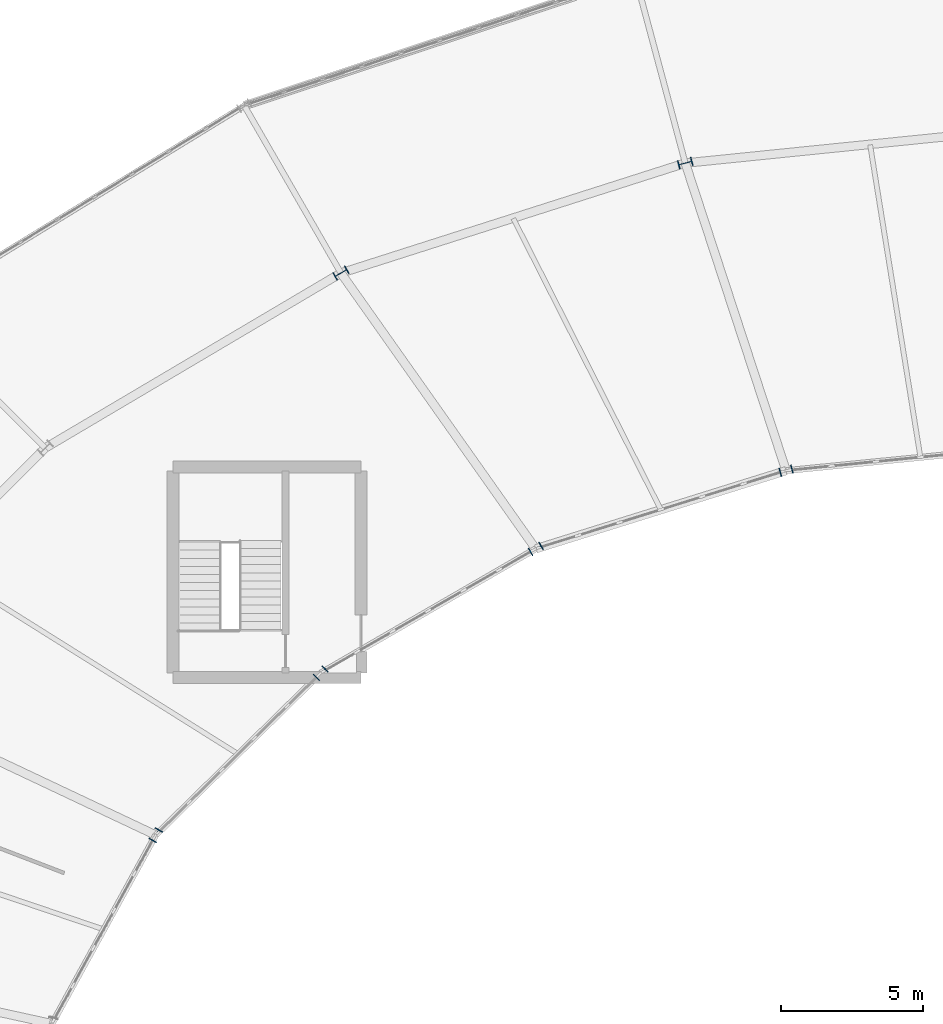
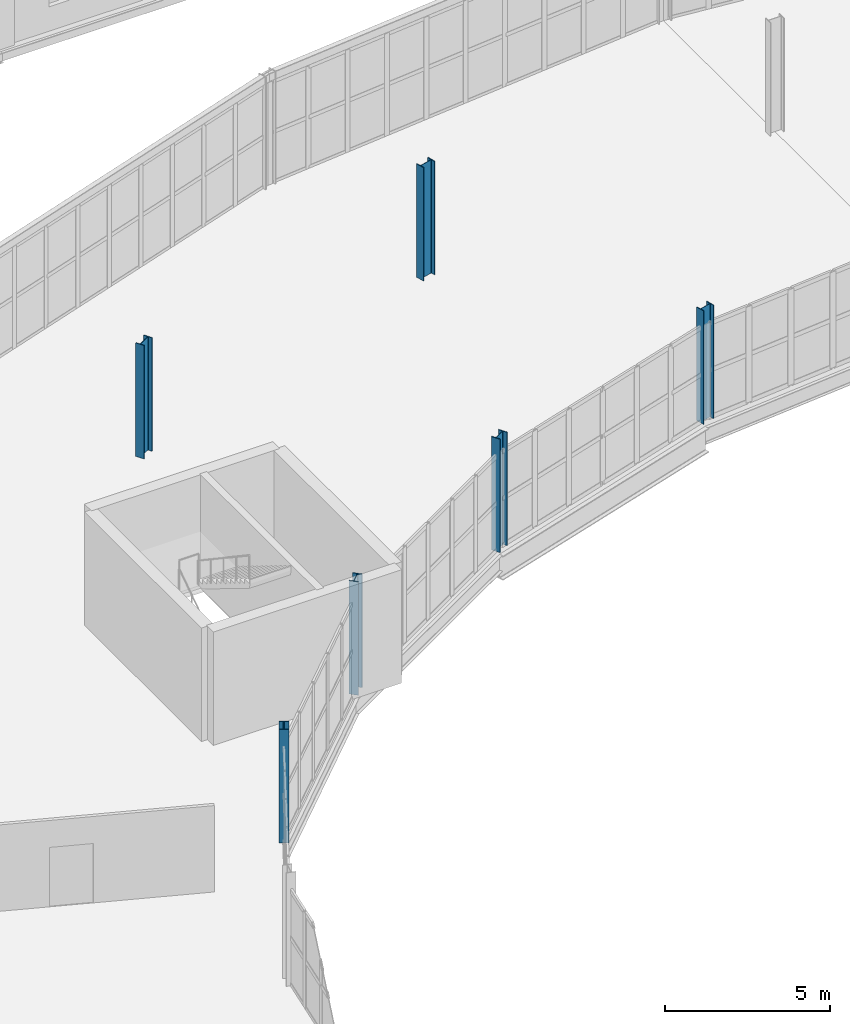
# One storey, part 15 of 161: 6 columns.
"""IFC4 building model written with IfcOpenShell, lengths in metres."""

from ifc_helpers import new_model, si_unit, direction, frame, origin, origin_2d, place, context, subcontext, project, spatial, i_section, extrude, material, material_profile, profile_set, type_object, element, save


model = new_model("IFC4")

# Units and contexts
model_context = context("Model", 3, precision=1e-05, world=origin(), true_north=direction((0.0, 1.0)))
body_context = subcontext(model_context, "Body", "Model", "MODEL_VIEW")
ifc_project = project(units=[si_unit("LENGTHUNIT", "METRE"), si_unit("AREAUNIT", "SQUARE_METRE"), si_unit("VOLUMEUNIT", "CUBIC_METRE"), si_unit("PLANEANGLEUNIT", "RADIAN"), si_unit("MASSUNIT", "GRAM", prefix="KILO")], contexts=[model_context])

# Site, building, storey
site_placement = place(None, origin())
site = spatial("IfcSite", under=ifc_project, at=site_placement, CompositionType="ELEMENT")
building_placement = place(site_placement, origin())
building = spatial("IfcBuilding", under=site, at=building_placement, Name="Kildeholm Park Wholesale Market", CompositionType="ELEMENT")
storey_placement = place(building_placement, frame((0.0, 0.0, 5.39990234375)))
storey = spatial("IfcBuildingStorey", under=building, at=storey_placement, Name="L01", CompositionType="ELEMENT", Elevation=5.39990234375)

# Columns
ifc_material = material(Name="Steel S355", Category="steel")
ifc_material_profile_1 = material_profile(ifc_material, i_section(OverallWidth=0.300048828125, OverallDepth=0.449951171875, WebThickness=0.013916015625, FlangeThickness=0.02587890625, FilletRadius=0.027099609375, at=origin_2d()), Name="HEB 450")
ifc_profile_set_1 = profile_set([ifc_material_profile_1], Name="Steel S355")
column_type_1 = type_object("IfcColumnType", Name="Column C-S06 HEB 450", PredefinedType="COLUMN", material=ifc_profile_set_1)
for number, where, z_axis, x_axis, name in (
    (1, (89.552978515625, 116.06298828125, 0.0), (0.0, 0.0, 1.0), (-0.258819045103, 0.965925826289, 0.0), "Column V1-IN-07 L01 COL-0065"),
    (2, (80.75, 113.31591796875, 0.0), (0.0, 0.0, 1.0), (-0.5, 0.866025403784, 0.0), "Column V1-IN-08 L01 COL-0074"),
    (3, (73.19091796875, 108.945068359375, 0.0), (0.0, 0.0, 1.0), (-0.707106781187, 0.707106781187, 0.0), "Column V1-IN-09 L01 COL-0083"),
    (4, (67.389892578125, 103.25, 0.0), (0.0, 0.0, 1.0), (-0.866025403784, 0.5, 0.0), "Column V1-IN-10 L01 COL-0092"),
):
    element("IfcColumn", number, at=place(storey_placement, frame(where, z_axis=z_axis, x_axis=x_axis)), inside=storey, type_object=column_type_1, Name=name, PredefinedType="COLUMN", context=body_context, shape_type="SweptSolid", body=[
        extrude(i_section(OverallWidth=0.300048828125, OverallDepth=0.449951171875, WebThickness=0.013916015625, FlangeThickness=0.02587890625, FilletRadius=0.027099609375, at=origin_2d()), origin(), (0.0, 0.0, 1.0), 4.2001953125),
    ])
ifc_material_profile_2 = material_profile(ifc_material, i_section(OverallWidth=0.300048828125, OverallDepth=0.5, WebThickness=0.014404296875, FlangeThickness=0.028076171875, FilletRadius=0.027099609375, at=origin_2d()), Name="HEB 500")
ifc_profile_set_2 = profile_set([ifc_material_profile_2], Name="Steel S355")
column_type_2 = type_object("IfcColumnType", Name="Column C-S07 HEB 500", PredefinedType="COLUMN", material=ifc_profile_set_2)
for number, where, z_axis, x_axis, name in (
    (5, (86.007080078125, 126.881103515625, 0.0), (0.0, 0.0, 1.0), (-0.258819045103, 0.965925826289, 0.0), "Column V1-MD-07 L01 COL-0068"),
    (6, (73.89990234375, 123.014892578125, 0.0), (0.0, 0.0, 1.0), (-0.5, 0.866025403784, 0.0), "Column V1-MD-08 L01 COL-0077"),
):
    element("IfcColumn", number, at=place(storey_placement, frame(where, z_axis=z_axis, x_axis=x_axis)), inside=storey, type_object=column_type_2, Name=name, PredefinedType="COLUMN", context=body_context, shape_type="SweptSolid", body=[
        extrude(i_section(OverallWidth=0.300048828125, OverallDepth=0.5, WebThickness=0.014404296875, FlangeThickness=0.028076171875, FilletRadius=0.027099609375, at=origin_2d()), origin(), (0.0, 0.0, 1.0), 4.2001953125),
    ])

save(model, "model.ifc")
